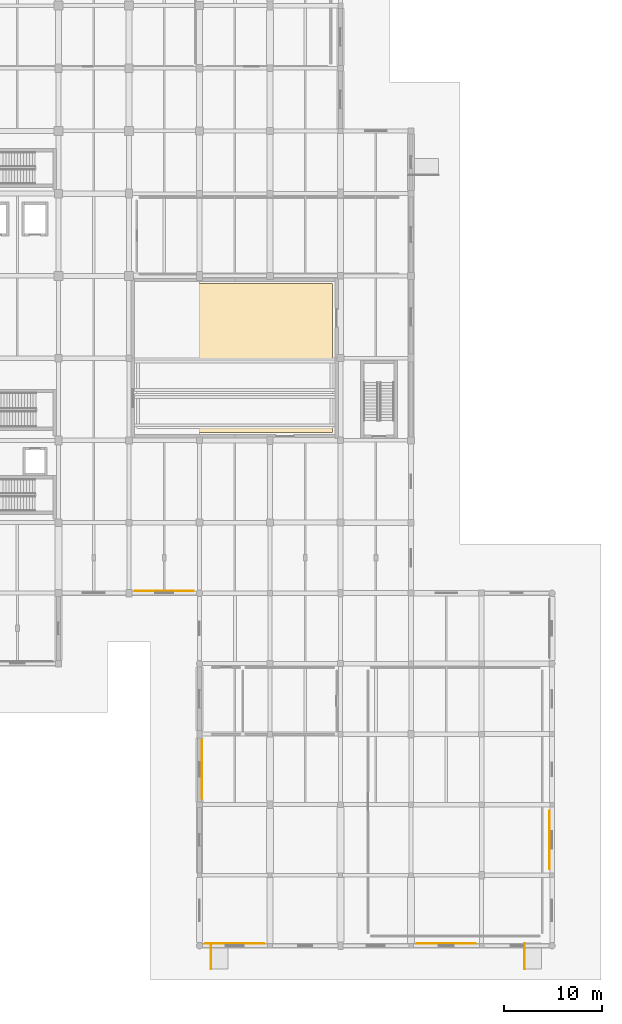
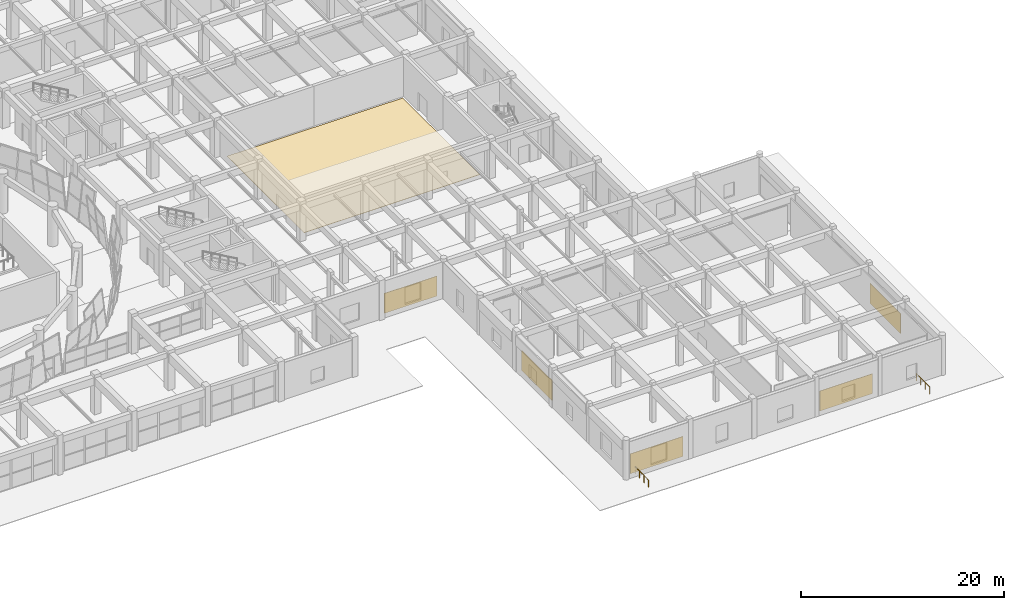
# One storey, part 70 of 72: 6 coverings, 2 railings.
"""IFC4 building model written with IfcOpenShell, lengths in metres."""

from ifc_helpers import new_model, si_unit, direction, frame, origin, origin_2d, place, context, subcontext, project, spatial, polyline, rectangle, circle, outline, extrude, material, layer, layer_set, type_object, element, save


model = new_model("IFC4")

# Units and contexts
model_context = context("Model", 3, precision=1e-05, world=origin(), true_north=direction((0.0, 1.0)))
body_context = subcontext(model_context, "Body", "Model", "MODEL_VIEW")
ifc_project = project(units=[si_unit("LENGTHUNIT", "METRE"), si_unit("AREAUNIT", "SQUARE_METRE"), si_unit("VOLUMEUNIT", "CUBIC_METRE"), si_unit("PLANEANGLEUNIT", "RADIAN"), si_unit("MASSUNIT", "GRAM", prefix="KILO")], contexts=[model_context])

# Site, building, storey
site_placement = place(None, origin())
site = spatial("IfcSite", under=ifc_project, at=site_placement, CompositionType="ELEMENT")
building_placement = place(site_placement, origin())
building = spatial("IfcBuilding", under=site, at=building_placement, Name="Korsvaeld Concert Hall", CompositionType="ELEMENT")
storey_placement = place(building_placement, origin())
storey = spatial("IfcBuildingStorey", under=building, at=storey_placement, Name="L00", CompositionType="ELEMENT", Elevation=0.0)

# Coverings
ifc_material_1 = material(Name="Bornholm Nexo rose-red sandstone ashlar cladding", Category="masonry")
ifc_layer_1 = layer(ifc_material_1, 0.050048828125)
ifc_layer_set_1 = layer_set([ifc_layer_1], Name="Bornholm Nexo rose-red sandstone ashlar cladding")
covering_type_1 = type_object("IfcCoveringType", Name="COV-CLAD-NEXO", PredefinedType="CLADDING", material=ifc_layer_set_1)
for number, where, z_axis, x_axis, name in (
    (1, (167.7548828125, 10.800048828125, 0.199951171875), (0.0, 0.0, 1.0), (0.0, -1.0, 0.0), "Ventilated Nexo sandstone colonnade cladding 102"),
    (2, (157.199951171875, 0.2451171875, 0.199951171875), (0.0, 0.0, 1.0), (-1.0, 0.0, 0.0), "Ventilated Nexo sandstone colonnade cladding 105"),
    (3, (135.60009765625, 0.2451171875, 0.199951171875), (0.0, 0.0, 1.0), (-1.0, 0.0, 0.0), "Ventilated Nexo sandstone colonnade cladding 108"),
    (4, (132.2451171875, 18.0, 0.199951171875), (0.0, 0.0, 1.0), (0.0, 1.0, 0.0), "Ventilated Nexo sandstone colonnade cladding 111"),
    (5, (128.39990234375, 36.2451171875, 0.199951171875), (0.0, 0.0, 1.0), (-1.0, 0.0, 0.0), "Ventilated Nexo sandstone colonnade cladding 114"),
):
    element("IfcCovering", number, at=place(storey_placement, frame(where, z_axis=z_axis, x_axis=x_axis)), inside=storey, type_object=covering_type_1, Name=name, PredefinedType="CLADDING", context=body_context, shape_type="SweptSolid", body=[
        extrude(rectangle(XDim=6.0, YDim=0.050048828125, at=origin_2d()), origin(), (0.0, 0.0, 1.0), 2.39990234375),
    ])
ifc_material_2 = material(Name="Sprung European oak stage and foyer flooring")
ifc_layer_2 = layer(ifc_material_2, 0.034912109375)
ifc_layer_set_2 = layer_set([ifc_layer_2], Name="Sprung European oak stage and foyer flooring")
covering_type_2 = type_object("IfcCoveringType", Name="COV-FLOOR-OAK", PredefinedType="FLOORING", material=ifc_layer_set_2)
covering_placement = place(storey_placement, origin())
element("IfcCovering", 6, at=covering_placement, inside=storey, type_object=covering_type_2, Name="Sprung oak acoustic floor L00-13", PredefinedType="FLOORING", context=body_context, shape_type="SweptSolid", body=[
    extrude(outline(polyline([(125.60009765625, 52.39990234375), (125.60009765625, 67.60009765625), (145.60009765625, 67.60009765625), (145.60009765625, 52.39990234375), (125.60009765625, 52.39990234375)])), origin(), (0.0, 0.0, 1.0), 0.034912109375),
])

# Railings
ifc_material_3 = material(Name="Anodised architectural bronze handrail")
railing_type = type_object("IfcRailingType", Name="RL-RAMP-HAND-90", PredefinedType="HANDRAIL", material=ifc_material_3)
for number, where, name in (
    (7, (133.179931640625, -2.39990234375, -0.06005859375), "Accessible ramp handrail RMP-SE1"),
    (8, (165.179931640625, -2.39990234375, -0.06005859375), "Accessible ramp handrail RMP-SE2"),
):
    element("IfcRailing", number, at=place(storey_placement, frame(where)), inside=storey, type_object=railing_type, Name=name, PredefinedType="HANDRAIL", context=body_context, shape_type="SweptSolid", body=[
        extrude(circle(Radius=0.02392578125, at=origin_2d()), frame((0.0, 0.0, 0.8759765625), z_axis=(0.0, 0.999743260135, 0.022658636631), x_axis=(-1.0, 0.0, 0.0)), (0.0, 0.0, 1.0), 2.650634765625),
        extrude(circle(Radius=0.02099609375, at=origin_2d()), origin(), (0.0, 0.0, 1.0), 0.851806640625),
        extrude(circle(Radius=0.02099609375, at=origin_2d()), frame((0.0, 0.88330078125, 0.02001953125)), (0.0, 0.0, 1.0), 0.851806640625),
        extrude(circle(Radius=0.02099609375, at=origin_2d()), frame((0.0, 1.7666015625, 0.0400390625)), (0.0, 0.0, 1.0), 0.851806640625),
        extrude(circle(Radius=0.02099609375, at=origin_2d()), frame((0.0, 2.64990234375, 0.06005859375)), (0.0, 0.0, 1.0), 0.851806640625),
    ])

save(model, "model.ifc")
